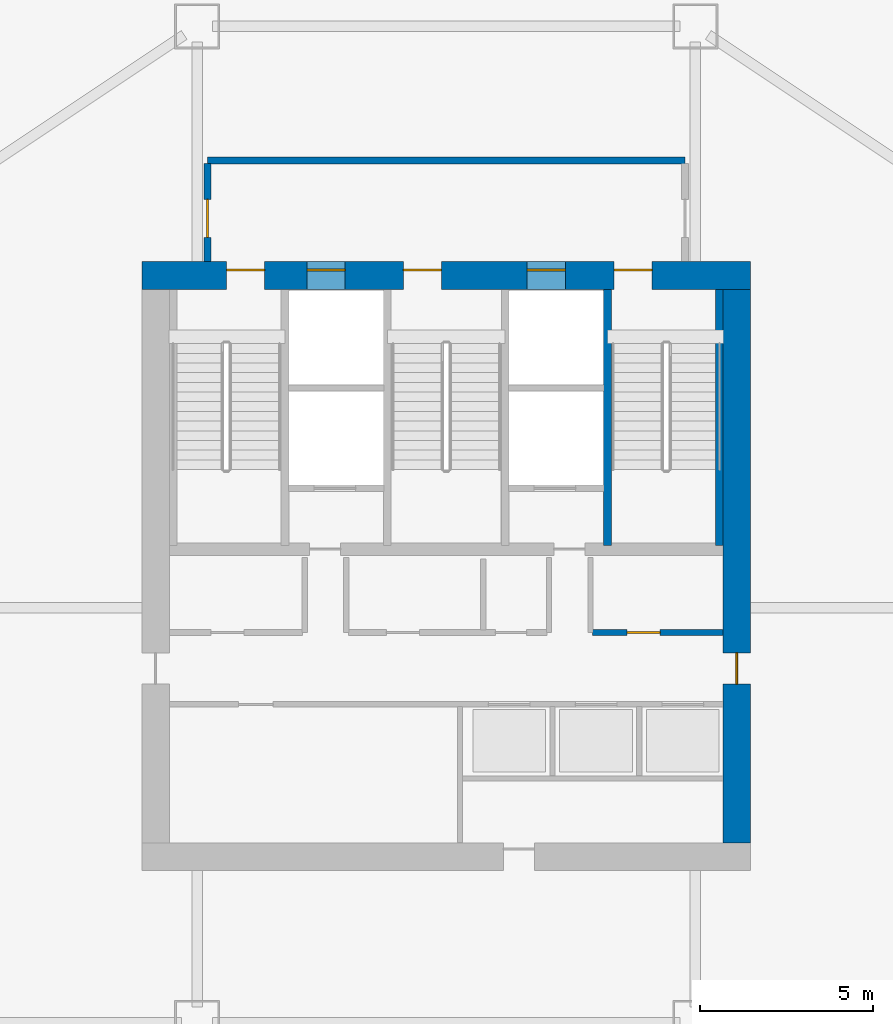
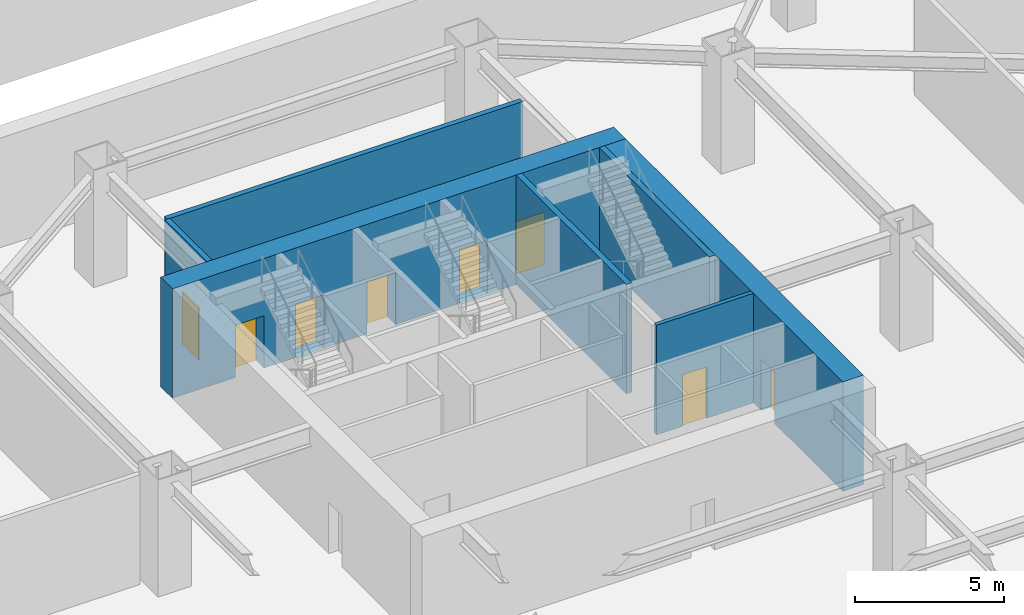
# One storey, part 8 of 15: 8 doors, 7 walls, 8 openings.
"""IFC4 building model written with IfcOpenShell, lengths in metres."""

from ifc_helpers import new_model, si_unit, direction, frame, frame_2d, origin, place, context, subcontext, project, spatial, rectangle, extrude, material, layer, layer_set, type_object, element, fill, save


model = new_model("IFC4")

# Units and contexts
model_context = context("Model", 3, precision=1e-05, world=origin(), true_north=direction((0.0, 1.0)))
body_context = subcontext(model_context, "Body", "Model", "MODEL_VIEW")
ifc_project = project(units=[si_unit("LENGTHUNIT", "METRE"), si_unit("AREAUNIT", "SQUARE_METRE"), si_unit("VOLUMEUNIT", "CUBIC_METRE"), si_unit("PLANEANGLEUNIT", "RADIAN"), si_unit("MASSUNIT", "GRAM", prefix="KILO")], contexts=[model_context])

# Site, building, storey
site_placement = place(None, origin())
site = spatial("IfcSite", under=ifc_project, at=site_placement, CompositionType="ELEMENT")
building_placement = place(site_placement, origin())
building = spatial("IfcBuilding", under=site, at=building_placement, Name="Haolan Belvedere Tower", CompositionType="ELEMENT")
storey_placement = place(building_placement, frame((0.0, 0.0, -4.800048828125)))
storey = spatial("IfcBuildingStorey", under=building, at=storey_placement, Name="B1", CompositionType="ELEMENT", Elevation=-4.800048828125)

# Wall, openings, doors
ifc_material_1 = material(Name="Concrete C70/85", Category="concrete")
ifc_layer_1 = layer(ifc_material_1, 0.800048828125, Name="Concrete C70/85")
ifc_layer_set_1 = layer_set([ifc_layer_1], Name="Concrete C70/85")
wall_type_1 = type_object("IfcWallType", Name="WL-CORE-800", PredefinedType="SHEAR", material=ifc_layer_set_1)
wall_1_placement = place(storey_placement, frame((29.60009765625, 43.199951171875, 0.0), z_axis=(0.0, 0.0, 1.0), x_axis=(1.0, 0.0, 0.0)))
wall_1 = element("IfcWall", 1, at=wall_1_placement, inside=storey, type_object=wall_type_1, Name="B1 central core north shear wall", PredefinedType="SHEAR", context=body_context, shape_type="SweptSolid", body=[
    extrude(rectangle(XDim=17.599853515625, YDim=0.800048828125, at=frame_2d((8.7998046875, 0.0))), origin(), (0.0, 0.0, 1.0), 4.5),
])
opening_1_placement = place(wall_1_placement, frame((2.449951171875, 0.0, 0.0)))
opening_1 = element("IfcOpeningElement", 2, at=opening_1_placement, cuts=wall_1, Name="Opening FD-03", PredefinedType="OPENING", context=body_context, shape_type="SweptSolid", body=[
    extrude(rectangle(XDim=1.10009765625, YDim=2.14990234375, at=frame_2d((0.550048828125, 1.074951171875))), frame((0.0, 0.409912109375, 0.0), z_axis=(0.0, -1.0, 0.0), x_axis=(1.0, 0.0, 0.0)), (0.0, 0.0, 1.0), 0.820068359375),
])
opening_2_placement = place(wall_1_placement, frame((7.56005859375, 0.0, 0.0)))
opening_2 = element("IfcOpeningElement", 3, at=opening_2_placement, cuts=wall_1, Name="Opening FD-03", PredefinedType="OPENING", context=body_context, shape_type="SweptSolid", body=[
    extrude(rectangle(XDim=1.10009765625, YDim=2.14990234375, at=frame_2d((0.550048828125, 1.074951171875))), frame((0.0, 0.409912109375, 0.0), z_axis=(0.0, -1.0, 0.0), x_axis=(1.0, 0.0, 0.0)), (0.0, 0.0, 1.0), 0.820068359375),
])
opening_3_placement = place(wall_1_placement, frame((13.64990234375, 0.0, 0.0)))
opening_3 = element("IfcOpeningElement", 4, at=opening_3_placement, cuts=wall_1, Name="Opening FD-03", PredefinedType="OPENING", context=body_context, shape_type="SweptSolid", body=[
    extrude(rectangle(XDim=1.10009765625, YDim=2.14990234375, at=frame_2d((0.550048828125, 1.074951171875))), frame((0.0, 0.409912109375, 0.0), z_axis=(0.0, -1.0, 0.0), x_axis=(1.0, 0.0, 0.0)), (0.0, 0.0, 1.0), 0.820068359375),
])
opening_4_placement = place(wall_1_placement, frame((4.780029296875, 0.0, 0.0)))
opening_4 = element("IfcOpeningElement", 5, at=opening_4_placement, cuts=wall_1, Name="Opening LD-01", PredefinedType="OPENING", context=body_context, shape_type="SweptSolid", body=[
    extrude(rectangle(XDim=1.10009765625, YDim=2.199951171875, at=frame_2d((0.550048828125, 1.10009765625))), frame((0.0, 0.409912109375, 0.0), z_axis=(0.0, -1.0, 0.0), x_axis=(1.0, 0.0, 0.0)), (0.0, 0.0, 1.0), 0.820068359375),
])
opening_5_placement = place(wall_1_placement, frame((11.139892578125, 0.0, 0.0)))
opening_5 = element("IfcOpeningElement", 6, at=opening_5_placement, cuts=wall_1, Name="Opening LD-01", PredefinedType="OPENING", context=body_context, shape_type="SweptSolid", body=[
    extrude(rectangle(XDim=1.10009765625, YDim=2.199951171875, at=frame_2d((0.550048828125, 1.10009765625))), frame((0.0, 0.409912109375, 0.0), z_axis=(0.0, -1.0, 0.0), x_axis=(1.0, 0.0, 0.0)), (0.0, 0.0, 1.0), 0.820068359375),
])
ifc_material_2 = material(Name="Galvanised fire-rated steel", Category="steel")
door_type_1 = type_object("IfcDoorType", Name="DR-FD90-1100", OperationType="NOTDEFINED", PredefinedType="DOOR", material=ifc_material_2)
door_1_placement = place(opening_1_placement, origin())
door_1 = element("IfcDoor", 7, at=door_1_placement, inside=storey, type_object=door_type_1, Name="B1 door CD-B1-ST1", OperationType="SINGLE_SWING_LEFT", OverallHeight=2.14990234375, OverallWidth=1.10009765625, PredefinedType="DOOR", context=body_context, shape_type="SweptSolid", body=[
    extrude(rectangle(XDim=1.10009765625, YDim=2.14990234375, at=frame_2d((0.550048828125, 1.074951171875))), frame((0.0, 0.18505859375, 0.0), z_axis=(0.0, -1.0, 0.0), x_axis=(1.0, 0.0, 0.0)), (0.0, 0.0, 1.0), 0.050048828125),
])
fill(opening_1, door_1)
door_2_placement = place(opening_2_placement, origin())
door_2 = element("IfcDoor", 8, at=door_2_placement, inside=storey, type_object=door_type_1, Name="B1 door CD-B1-ST3", OperationType="SINGLE_SWING_LEFT", OverallHeight=2.14990234375, OverallWidth=1.10009765625, PredefinedType="DOOR", context=body_context, shape_type="SweptSolid", body=[
    extrude(rectangle(XDim=1.10009765625, YDim=2.14990234375, at=frame_2d((0.550048828125, 1.074951171875))), frame((0.0, 0.18505859375, 0.0), z_axis=(0.0, -1.0, 0.0), x_axis=(1.0, 0.0, 0.0)), (0.0, 0.0, 1.0), 0.050048828125),
])
fill(opening_2, door_2)
door_3_placement = place(opening_3_placement, origin())
door_3 = element("IfcDoor", 9, at=door_3_placement, inside=storey, type_object=door_type_1, Name="B1 door CD-B1-ST2", OperationType="SINGLE_SWING_RIGHT", OverallHeight=2.14990234375, OverallWidth=1.10009765625, PredefinedType="DOOR", context=body_context, shape_type="SweptSolid", body=[
    extrude(rectangle(XDim=1.10009765625, YDim=2.14990234375, at=frame_2d((0.550048828125, 1.074951171875))), frame((0.0, 0.18505859375, 0.0), z_axis=(0.0, -1.0, 0.0), x_axis=(1.0, 0.0, 0.0)), (0.0, 0.0, 1.0), 0.050048828125),
])
fill(opening_3, door_3)
ifc_material_3 = material(Name="Brushed champagne stainless steel 316L", Category="steel")
door_type_2 = type_object("IfcDoorType", Name="DR-LIFT-1100", OperationType="SLIDING_TO_LEFT", PredefinedType="DOOR", material=ifc_material_3)
door_4_placement = place(opening_4_placement, origin())
door_4 = element("IfcDoor", 10, at=door_4_placement, inside=storey, type_object=door_type_2, Name="B1 door LD-B1-FF1", OperationType="SLIDING_TO_LEFT", OverallHeight=2.199951171875, OverallWidth=1.10009765625, PredefinedType="DOOR", context=body_context, shape_type="SweptSolid", body=[
    extrude(rectangle(XDim=1.10009765625, YDim=2.199951171875, at=frame_2d((0.550048828125, 1.10009765625))), frame((0.0, 0.18505859375, 0.0), z_axis=(0.0, -1.0, 0.0), x_axis=(1.0, 0.0, 0.0)), (0.0, 0.0, 1.0), 0.050048828125),
])
fill(opening_4, door_4)
door_5_placement = place(opening_5_placement, origin())
door_5 = element("IfcDoor", 11, at=door_5_placement, inside=storey, type_object=door_type_2, Name="B1 door LD-B1-FF2", OperationType="SLIDING_TO_LEFT", OverallHeight=2.199951171875, OverallWidth=1.10009765625, PredefinedType="DOOR", context=body_context, shape_type="SweptSolid", body=[
    extrude(rectangle(XDim=1.10009765625, YDim=2.199951171875, at=frame_2d((0.550048828125, 1.10009765625))), frame((0.0, 0.18505859375, 0.0), z_axis=(0.0, -1.0, 0.0), x_axis=(1.0, 0.0, 0.0)), (0.0, 0.0, 1.0), 0.050048828125),
])
fill(opening_5, door_5)

# Wall, opening, door
wall_2_placement = place(storey_placement, frame((46.800048828125, 26.800048828125, 0.0), z_axis=(0.0, 0.0, 1.0), x_axis=(0.0, 1.0, 0.0)))
wall_2 = element("IfcWall", 12, at=wall_2_placement, inside=storey, type_object=wall_type_1, Name="B1 central core east shear wall", PredefinedType="SHEAR", context=body_context, shape_type="SweptSolid", body=[
    extrude(rectangle(XDim=16.0, YDim=0.800048828125, at=frame_2d((8.0, 0.0))), origin(), (0.0, 0.0, 1.0), 4.5),
])
opening_6_placement = place(wall_2_placement, frame((5.489990234375, 0.0, 0.0), z_axis=(0.0, 0.0, 1.0), x_axis=(-1.0, 0.0, 0.0)))
opening_6 = element("IfcOpeningElement", 13, at=opening_6_placement, cuts=wall_2, Name="Opening FD-05", PredefinedType="OPENING", context=body_context, shape_type="SweptSolid", body=[
    extrude(rectangle(XDim=0.89990234375, YDim=2.10009765625, at=frame_2d((0.449951171875, 1.050048828125))), frame((0.0, 0.409912109375, 0.0), z_axis=(0.0, -1.0, 0.0), x_axis=(1.0, 0.0, 0.0)), (0.0, 0.0, 1.0), 0.820068359375),
])
door_type_3 = type_object("IfcDoorType", Name="DR-FD60-900", OperationType="NOTDEFINED", PredefinedType="DOOR", material=ifc_material_2)
door_6_placement = place(opening_6_placement, origin())
door_6 = element("IfcDoor", 14, at=door_6_placement, inside=storey, type_object=door_type_3, Name="B1 door CD-B1-PLL-E", OperationType="SINGLE_SWING_LEFT", OverallHeight=2.10009765625, OverallWidth=0.89990234375, PredefinedType="DOOR", context=body_context, shape_type="SweptSolid", body=[
    extrude(rectangle(XDim=0.89990234375, YDim=2.10009765625, at=frame_2d((0.449951171875, 1.050048828125))), frame((0.0, 0.02490234375, 0.0), z_axis=(0.0, -1.0, 0.0), x_axis=(1.0, 0.0, 0.0)), (0.0, 0.0, 1.0), 0.050048828125),
])
fill(opening_6, door_6)

# Wall
ifc_material_4 = material(Name="Concrete C40/50", Category="concrete")
ifc_layer_2 = layer(ifc_material_4, 0.199951171875, Name="Concrete C40/50")
ifc_layer_set_2 = layer_set([ifc_layer_2], Name="Concrete C40/50")
wall_type_2 = type_object("IfcWallType", Name="WL-FIRE-200", PredefinedType="SOLIDWALL", material=ifc_layer_set_2)
wall_3_placement = place(storey_placement, frame((31.5, 46.52001953125, 0.0), z_axis=(0.0, 0.0, 1.0), x_axis=(1.0, 0.0, 0.0)))
element("IfcWall", 15, at=wall_3_placement, inside=storey, type_object=wall_type_2, Name="B1 interior partition IW-B1-FFL-N", PredefinedType="SOLIDWALL", context=body_context, shape_type="SweptSolid", body=[
    extrude(rectangle(XDim=13.800048828125, YDim=0.199951171875, at=frame_2d((6.89990234375, 0.0))), origin(), (0.0, 0.0, 1.0), 4.5),
])

# Wall, opening, door
wall_4_placement = place(storey_placement, frame((31.5, 43.60009765625, 0.0), z_axis=(0.0, 0.0, 1.0), x_axis=(0.0, 1.0, 0.0)))
wall_4 = element("IfcWall", 16, at=wall_4_placement, inside=storey, type_object=wall_type_2, Name="B1 interior partition IW-B1-FFL-W", PredefinedType="SOLIDWALL", context=body_context, shape_type="SweptSolid", body=[
    extrude(rectangle(XDim=2.8349609375, YDim=0.199951171875, at=frame_2d((1.41748046875, 0.0))), origin(), (0.0, 0.0, 1.0), 4.5),
])
opening_7_placement = place(wall_4_placement, frame((1.800048828125, 0.0, 0.0), z_axis=(0.0, 0.0, 1.0), x_axis=(-1.0, 0.0, 0.0)))
opening_7 = element("IfcOpeningElement", 17, at=opening_7_placement, cuts=wall_4, Name="Opening FD-03", PredefinedType="OPENING", context=body_context, shape_type="SweptSolid", body=[
    extrude(rectangle(XDim=1.10009765625, YDim=2.14990234375, at=frame_2d((0.550048828125, 1.074951171875))), frame((0.0, 0.10986328125, 0.0), z_axis=(0.0, -1.0, 0.0), x_axis=(1.0, 0.0, 0.0)), (0.0, 0.0, 1.0), 0.219970703125),
])
door_7_placement = place(opening_7_placement, origin())
door_7 = element("IfcDoor", 18, at=door_7_placement, inside=storey, type_object=door_type_1, Name="B1 door ID-B1-FFL-DW", OperationType="SINGLE_SWING_LEFT", OverallHeight=2.14990234375, OverallWidth=1.10009765625, PredefinedType="DOOR", context=body_context, shape_type="SweptSolid", body=[
    extrude(rectangle(XDim=1.10009765625, YDim=2.14990234375, at=frame_2d((0.550048828125, 1.074951171875))), frame((0.0, 0.02490234375, 0.0), z_axis=(0.0, -1.0, 0.0), x_axis=(1.0, 0.0, 0.0)), (0.0, 0.0, 1.0), 0.050048828125),
])
fill(opening_7, door_7)

ifc_material_5 = material(Name="Gypsum fire shaftwall assembly", Category="masonry")
ifc_layer_3 = layer(ifc_material_5, 0.1650390625, Name="Gypsum fire shaftwall assembly")
ifc_layer_set_3 = layer_set([ifc_layer_3], Name="Gypsum fire shaftwall assembly")
wall_type_3 = type_object("IfcWallType", Name="WL-SHAFT-160", PredefinedType="SOLIDWALL", material=ifc_layer_set_3)
wall_5_placement = place(storey_placement, frame((42.6298828125, 32.8798828125, 0.0), z_axis=(0.0, 0.0, 1.0), x_axis=(1.0, 0.0, 0.0)))
wall_5 = element("IfcWall", 19, at=wall_5_placement, inside=storey, type_object=wall_type_3, Name="B1 interior partition IW-B1-ROW-PN3", PredefinedType="SOLIDWALL", context=body_context, shape_type="SweptSolid", body=[
    extrude(rectangle(XDim=3.77001953125, YDim=0.159912109375, at=frame_2d((1.885009765625, 0.0))), origin(), (0.0, 0.0, 1.0), 4.5),
])
opening_8_placement = place(wall_5_placement, frame((1.949951171875, 0.0, 0.0), z_axis=(0.0, 0.0, 1.0), x_axis=(-1.0, 0.0, 0.0)))
opening_8 = element("IfcOpeningElement", 20, at=opening_8_placement, cuts=wall_5, Name="Opening ID-03", PredefinedType="OPENING", context=body_context, shape_type="SweptSolid", body=[
    extrude(rectangle(XDim=0.949951171875, YDim=2.1201171875, at=frame_2d((0.47509765625, 1.06005859375))), frame((0.0, 0.08984375, 0.0), z_axis=(0.0, -1.0, 0.0), x_axis=(1.0, 0.0, 0.0)), (0.0, 0.0, 1.0), 0.179931640625),
])
ifc_material_6 = material(Name="Painted solid-core timber", Category="wood")
door_type_4 = type_object("IfcDoorType", Name="DR-INT-950", OperationType="NOTDEFINED", PredefinedType="DOOR", material=ifc_material_6)
door_8_placement = place(opening_8_placement, origin())
door_8 = element("IfcDoor", 21, at=door_8_placement, inside=storey, type_object=door_type_4, Name="B1 door ID-B1-CD-RPH23", OperationType="SINGLE_SWING_LEFT", OverallHeight=2.1201171875, OverallWidth=0.949951171875, PredefinedType="DOOR", context=body_context, shape_type="SweptSolid", body=[
    extrude(rectangle(XDim=0.949951171875, YDim=2.1201171875, at=frame_2d((0.47509765625, 1.06005859375))), frame((0.0, 0.02490234375, 0.0), z_axis=(0.0, -1.0, 0.0), x_axis=(1.0, 0.0, 0.0)), (0.0, 0.0, 1.0), 0.050048828125),
])
fill(opening_8, door_8)

# Walls
ifc_material_7 = material(Name="Concrete C50/60", Category="concrete")
ifc_layer_4 = layer(ifc_material_7, 0.219970703125, Name="Concrete C50/60")
ifc_layer_set_4 = layer_set([ifc_layer_4], Name="Concrete C50/60")
wall_type_4 = type_object("IfcWallType", Name="WL-STAIR-220", PredefinedType="SHEAR", material=ifc_layer_set_4)
for number, where, z_axis, x_axis, name in (
    (22, (43.06005859375, 35.389892578125, 0.0), (0.0, 0.0, 1.0), (0.0, 1.0, 0.0), "B1 structural stair core wall ST2W"),
    (23, (46.2880859375, 35.389892578125, 0.0), (0.0, 0.0, 1.0), (0.0, 1.0, 0.0), "B1 structural stair core wall ST2E"),
):
    element("IfcWall", number, at=place(storey_placement, frame(where, z_axis=z_axis, x_axis=x_axis)), inside=storey, type_object=wall_type_4, Name=name, PredefinedType="SHEAR", context=body_context, shape_type="SweptSolid", body=[
        extrude(rectangle(XDim=7.41015625, YDim=0.219970703125, at=frame_2d((3.705078125, 0.0))), origin(), (0.0, 0.0, 1.0), 4.5),
    ])

save(model, "model.ifc")
